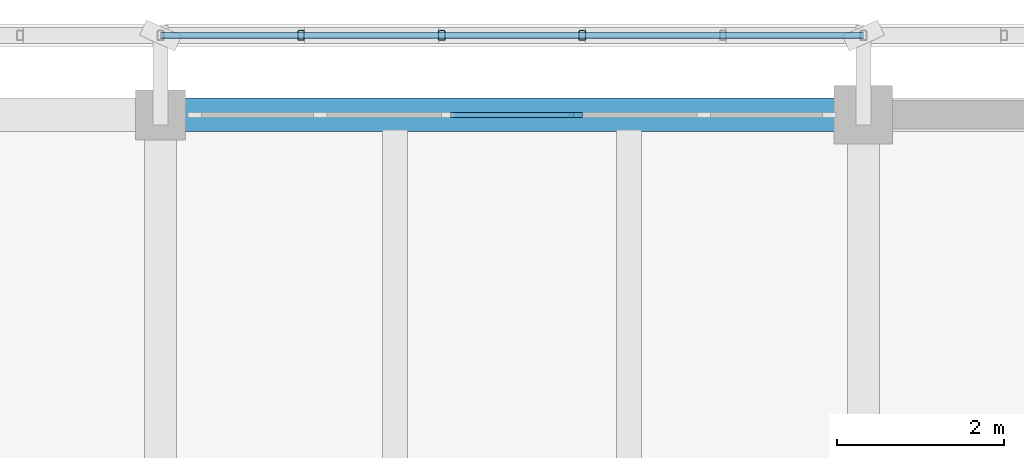
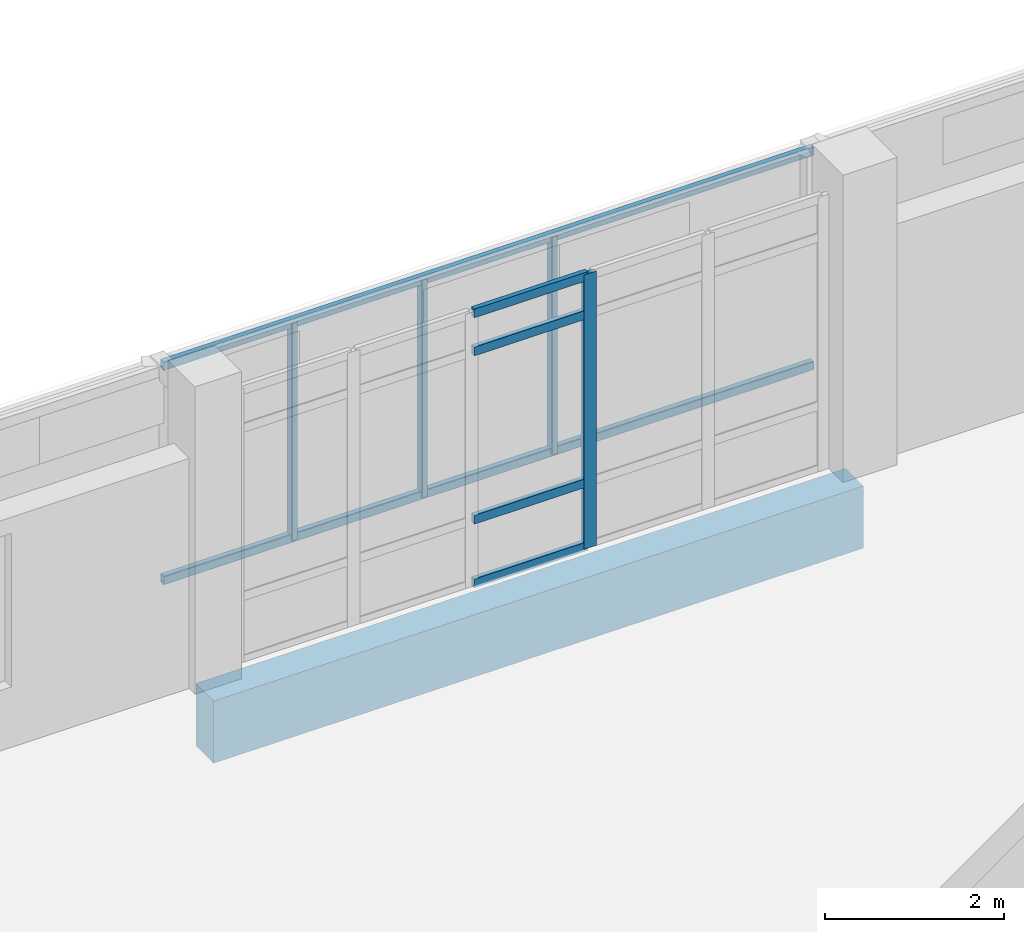
# One storey, part 50 of 137: 10 members, 1 beam, 1 element without a shape of its own.
"""IFC4 building model written with IfcOpenShell, lengths in metres."""

from ifc_helpers import new_model, si_unit, direction, frame, origin, origin_2d, place, context, subcontext, project, spatial, rectangle, hollow_rectangle, extrude, material, material_profile, profile_set, type_object, element, aggregate, save


model = new_model("IFC4")

# Units and contexts
model_context = context("Model", 3, precision=1e-05, world=origin(), true_north=direction((0.0, 1.0)))
body_context = subcontext(model_context, "Body", "Model", "MODEL_VIEW")
ifc_project = project(units=[si_unit("LENGTHUNIT", "METRE"), si_unit("AREAUNIT", "SQUARE_METRE"), si_unit("VOLUMEUNIT", "CUBIC_METRE"), si_unit("PLANEANGLEUNIT", "RADIAN"), si_unit("MASSUNIT", "GRAM", prefix="KILO")], contexts=[model_context])

# Site, building, storey
site_placement = place(None, origin())
site = spatial("IfcSite", under=ifc_project, at=site_placement, CompositionType="ELEMENT")
building_placement = place(site_placement, origin())
building = spatial("IfcBuilding", under=site, at=building_placement, Name="Cinderway Yard Community Centre", CompositionType="ELEMENT")
storey_placement = place(building_placement, frame((0.0, 0.0, 4.800048828125)))
storey = spatial("IfcBuildingStorey", under=building, at=storey_placement, Name="L01", CompositionType="ELEMENT", Elevation=4.800048828125)

# Curtain wall, members
ifc_material_1 = material(Name="Aluminium 6063-T6", Category="aluminium")
curtain_wall_type = type_object("IfcCurtainWallType", Name="ENV-CW-TYPE-26", PredefinedType="USERDEFINED", material=ifc_material_1)
curtain_wall_placement = place(storey_placement, origin())
curtain_wall = element("IfcCurtainWall", 1, at=curtain_wall_placement, inside=storey, type_object=curtain_wall_type, Name="V4 Street Curtain Wall ENV-CW-L01-ST-0123", ObjectType="GLAZED CURTAIN WALL", PredefinedType="USERDEFINED")
ifc_material_profile_1 = material_profile(ifc_material_1, rectangle(XDim=0.06005859375, YDim=0.159912109375, at=origin_2d()), Name="Aluminium 6063-T6")
ifc_profile_set_1 = profile_set([ifc_material_profile_1], Name="Aluminium 6063-T6")
member_type_1 = type_object("IfcMemberType", Name="ENV-CW-MULL-150", PredefinedType="MULLION", material=ifc_profile_set_1)
member_1_placement = place(storey_placement, frame((54.964111328125, 115.199951171875, 0.0), z_axis=(0.0, 0.0, 1.0), x_axis=(0.0, 1.0, 0.0)))
member_1 = element("IfcMember", 2, at=member_1_placement, type_object=member_type_1, Name="CW-26 mullion 4", PredefinedType="MULLION", context=body_context, shape_type="SweptSolid", body=[
    extrude(rectangle(XDim=0.06005859375, YDim=0.159912109375, at=origin_2d()), origin(), (0.0, 0.0, 1.0), 3.75),
])
ifc_material_profile_2 = material_profile(ifc_material_1, rectangle(XDim=0.06005859375, YDim=0.1201171875, at=origin_2d()), Name="Aluminium 6063-T6")
ifc_profile_set_2 = profile_set([ifc_material_profile_2], Name="Aluminium 6063-T6")
member_type_2 = type_object("IfcMemberType", Name="ENV-CW-TRAN-110", PredefinedType="USERDEFINED", material=ifc_profile_set_2)
member_2_placement = place(storey_placement, frame((53.466064453125, 115.199951171875, 0.030029296875), z_axis=(1.0, 0.0, 0.0), x_axis=(0.0, 1.0, 0.0)))
member_2 = element("IfcMember", 3, at=member_2_placement, type_object=member_type_2, Name="CW-26 transom 3.1", ObjectType="TRANSOM", PredefinedType="USERDEFINED", context=body_context, shape_type="SweptSolid", body=[
    extrude(rectangle(XDim=0.06005859375, YDim=0.1201171875, at=origin_2d()), origin(), (0.0, 0.0, 1.0), 1.468017578125),
])
member_3_placement = place(storey_placement, frame((53.466064453125, 115.199951171875, 0.89990234375), z_axis=(1.0, 0.0, 0.0), x_axis=(0.0, 1.0, 0.0)))
member_3 = element("IfcMember", 4, at=member_3_placement, type_object=member_type_2, Name="CW-26 transom 3.2", ObjectType="TRANSOM", PredefinedType="USERDEFINED", context=body_context, shape_type="SweptSolid", body=[
    extrude(rectangle(XDim=0.06005859375, YDim=0.1201171875, at=origin_2d()), origin(), (0.0, 0.0, 1.0), 1.468017578125),
])
member_4_placement = place(storey_placement, frame((53.466064453125, 115.199951171875, 3.199951171875), z_axis=(1.0, 0.0, 0.0), x_axis=(0.0, 1.0, 0.0)))
member_4 = element("IfcMember", 5, at=member_4_placement, type_object=member_type_2, Name="CW-26 transom 3.3", ObjectType="TRANSOM", PredefinedType="USERDEFINED", context=body_context, shape_type="SweptSolid", body=[
    extrude(rectangle(XDim=0.06005859375, YDim=0.1201171875, at=origin_2d()), origin(), (0.0, 0.0, 1.0), 1.468017578125),
])
member_5_placement = place(storey_placement, frame((53.466064453125, 115.199951171875, 3.719970703125), z_axis=(1.0, 0.0, 0.0), x_axis=(0.0, 1.0, 0.0)))
member_5 = element("IfcMember", 6, at=member_5_placement, type_object=member_type_2, Name="CW-26 transom 3.4", ObjectType="TRANSOM", PredefinedType="USERDEFINED", context=body_context, shape_type="SweptSolid", body=[
    extrude(rectangle(XDim=0.06005859375, YDim=0.1201171875, at=origin_2d()), origin(), (0.0, 0.0, 1.0), 1.468017578125),
])
aggregate(curtain_wall, [member_1, member_2, member_3, member_4, member_5])

# Members
ifc_material_2 = material(Name="Steel S355", Category="steel")
ifc_material_profile_3 = material_profile(ifc_material_2, hollow_rectangle(XDim=0.080078125, YDim=0.1201171875, WallThickness=0.00634765625, InnerFilletRadius=0.00634765625, OuterFilletRadius=0.0126953125, at=origin_2d()), Name="Steel S355")
ifc_profile_set_3 = profile_set([ifc_material_profile_3], Name="Steel S355")
member_type_3 = type_object("IfcMemberType", Name="ENV-MEM-SCREEN-RAIL-120", PredefinedType="STRINGER", material=ifc_profile_set_3)
for number, where, z_axis, x_axis, name in (
    (7, (50.0, 116.14990234375, 0.7099609375), (1.0, 0.0, 0.0), (0.0, 1.0, 0.0), "Screen support rail 0010-BOT"),
    (8, (50.0, 116.14990234375, 3.639892578125), (1.0, 0.0, 0.0), (0.0, 1.0, 0.0), "Screen support rail 0011-TOP"),
):
    element("IfcMember", number, at=place(storey_placement, frame(where, z_axis=z_axis, x_axis=x_axis)), inside=storey, type_object=member_type_3, Name=name, PredefinedType="STRINGER", context=body_context, shape_type="SweptSolid", body=[
        extrude(hollow_rectangle(XDim=0.080078125, YDim=0.1201171875, WallThickness=0.00634765625, InnerFilletRadius=0.00634765625, OuterFilletRadius=0.0126953125, at=origin_2d()), origin(), (0.0, 0.0, 1.0), 8.39990234375),
    ])
for number, where, z_axis, x_axis, name in (
    (9, (51.679931640625, 116.14990234375, 0.68994140625), (0.0, 0.0, 1.0), (1.0, 0.0, 0.0), "Screen vertical mullion 0012"),
    (10, (53.360107421875, 116.14990234375, 0.68994140625), (0.0, 0.0, 1.0), (1.0, 0.0, 0.0), "Screen vertical mullion 0013"),
    (11, (55.0400390625, 116.14990234375, 0.68994140625), (0.0, 0.0, 1.0), (1.0, 0.0, 0.0), "Screen vertical mullion 0014"),
):
    element("IfcMember", number, at=place(storey_placement, frame(where, z_axis=z_axis, x_axis=x_axis)), inside=storey, type_object=member_type_3, Name=name, PredefinedType="STRINGER", context=body_context, shape_type="SweptSolid", body=[
        extrude(hollow_rectangle(XDim=0.080078125, YDim=0.1201171875, WallThickness=0.00634765625, InnerFilletRadius=0.00634765625, OuterFilletRadius=0.0126953125, at=origin_2d()), origin(), (0.0, 0.0, 1.0), 2.969970703125),
    ])

# Beam
ifc_material_3 = material(Name="Concrete C40/50", Category="concrete")
ifc_material_profile_4 = material_profile(ifc_material_3, rectangle(XDim=0.39990234375, YDim=0.85009765625, at=origin_2d()), Name="Concrete C40/50")
ifc_profile_set_4 = profile_set([ifc_material_profile_4], Name="Concrete C40/50")
beam_type = type_object("IfcBeamType", Name="STR-BM-RC400X850", PredefinedType="BEAM", material=ifc_profile_set_4)
beam_placement = place(storey_placement, frame((50.0, 115.199951171875, -0.68505859375), z_axis=(1.0, 0.0, 0.0), x_axis=(0.0, 1.0, 0.0)))
element("IfcBeam", 12, at=beam_placement, inside=storey, type_object=beam_type, Name="Primary girder STR-BM-L01-BG04-0209", PredefinedType="BEAM", context=body_context, shape_type="SweptSolid", body=[
    extrude(rectangle(XDim=0.39990234375, YDim=0.85009765625, at=origin_2d()), origin(), (0.0, 0.0, 1.0), 8.39990234375),
])

save(model, "model.ifc")
